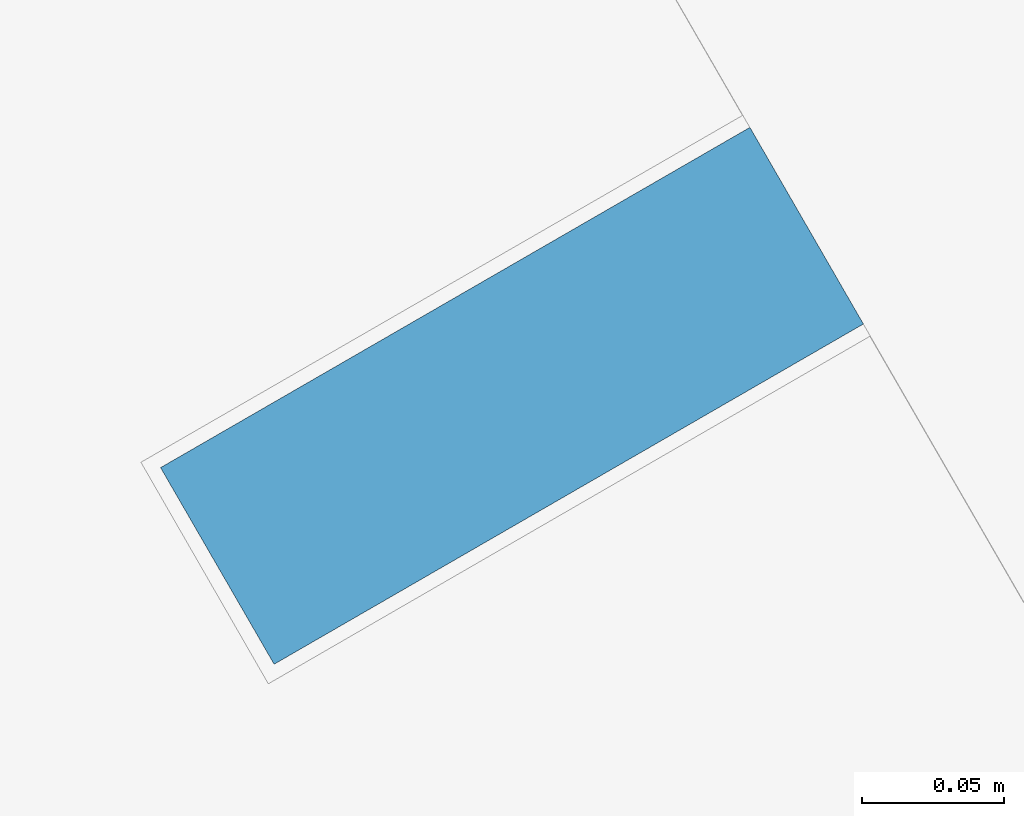
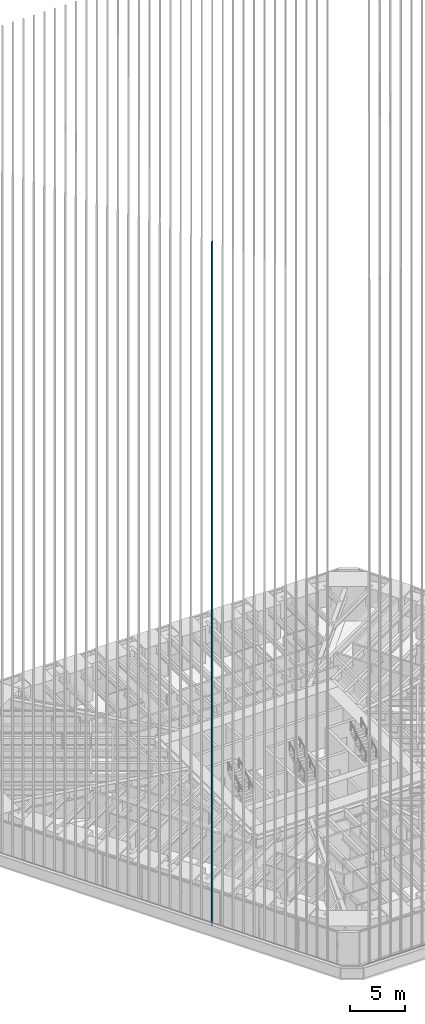
# One storey, part 6 of 238: 1 member, 1 element without a shape of its own.
"""IFC4 building model written with IfcOpenShell, lengths in metres."""

from ifc_helpers import new_model, si_unit, direction, frame, origin, origin_2d, place, context, subcontext, project, spatial, rectangle, extrude, material, material_profile, profile_set, type_object, element, aggregate, save


model = new_model("IFC4")

# Units and contexts
model_context = context("Model", 3, precision=1e-05, world=origin(), true_north=direction((0.0, 1.0)))
body_context = subcontext(model_context, "Body", "Model", "MODEL_VIEW")
ifc_project = project(units=[si_unit("LENGTHUNIT", "METRE"), si_unit("AREAUNIT", "SQUARE_METRE"), si_unit("VOLUMEUNIT", "CUBIC_METRE"), si_unit("PLANEANGLEUNIT", "RADIAN"), si_unit("MASSUNIT", "GRAM", prefix="KILO")], contexts=[model_context])

# Site, building, storey
site_placement = place(None, origin())
site = spatial("IfcSite", under=ifc_project, at=site_placement, CompositionType="ELEMENT")
building_placement = place(site_placement, origin())
building = spatial("IfcBuilding", under=site, at=building_placement, Name="Sandreach Pilgrim Tower", CompositionType="ELEMENT")
storey_placement = place(building_placement, frame((0.0, 0.0, 96.800048828125)))
storey = spatial("IfcBuildingStorey", under=building, at=storey_placement, Name="L23", CompositionType="ELEMENT", Elevation=96.800048828125)

# Curtain wall, member
ifc_material_1 = material(Name="Aluminium framed curtain wall", Category="aluminium")
curtain_wall_type = type_object("IfcCurtainWallType", Name="Hotel tower curtain wall", PredefinedType="NOTDEFINED", material=ifc_material_1)
curtain_wall_placement = place(storey_placement, origin())
curtain_wall = element("IfcCurtainWall", 1, at=curtain_wall_placement, inside=storey, type_object=curtain_wall_type, Name="CW-2 L23 SW", PredefinedType="NOTDEFINED")
ifc_material_2 = material(Name="Extruded terracotta on aluminium core", Category="masonry")
ifc_material_profile = material_profile(ifc_material_2, rectangle(XDim=0.080078125, YDim=0.239990234375, at=origin_2d()), Name="TBW 80X240")
ifc_profile_set = profile_set([ifc_material_profile], Name="Extruded terracotta on aluminium core")
member_type = type_object("IfcMemberType", Name="Terracotta baguette west", PredefinedType="USERDEFINED", material=ifc_profile_set)
member_placement = place(storey_placement, frame((-17.09033203125, -16.22607421875, 0.0), z_axis=(0.0, 0.0, 1.0), x_axis=(-0.5, 0.866025403784, 0.0)))
member = element("IfcMember", 2, at=member_placement, type_object=member_type, Name="Baguette Z2 SW12", ObjectType="BAGUETTE", PredefinedType="USERDEFINED", context=body_context, shape_type="SweptSolid", body=[
    extrude(rectangle(XDim=0.080078125, YDim=0.239990234375, at=origin_2d()), origin(), (0.0, 0.0, 1.0), 75.83984375),
])
aggregate(curtain_wall, [member])

save(model, "model.ifc")
